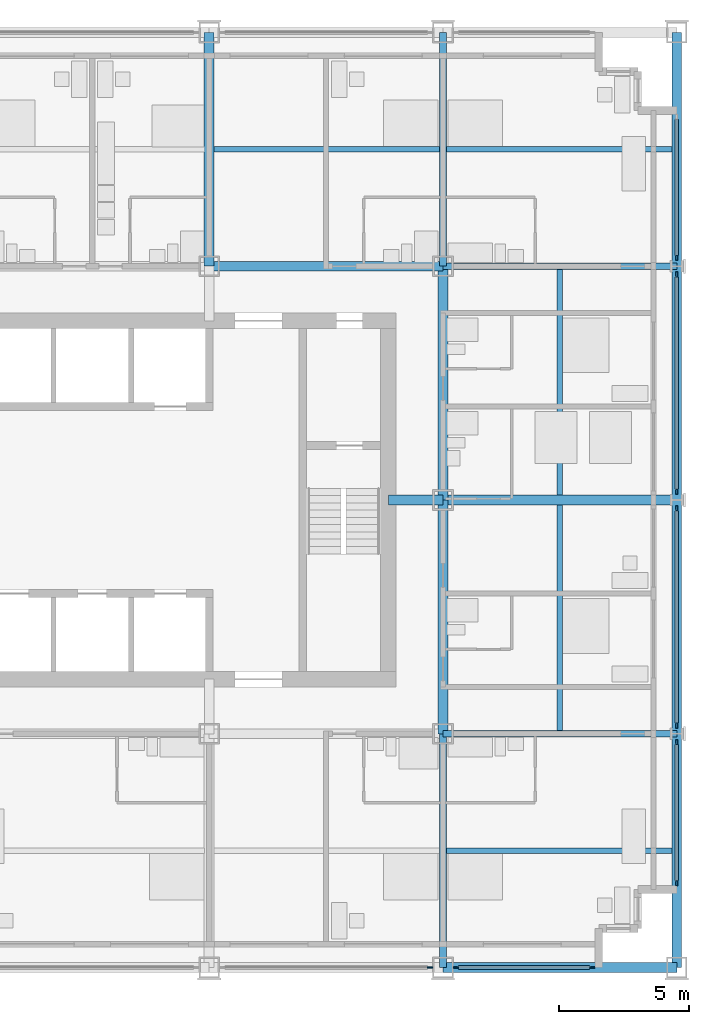
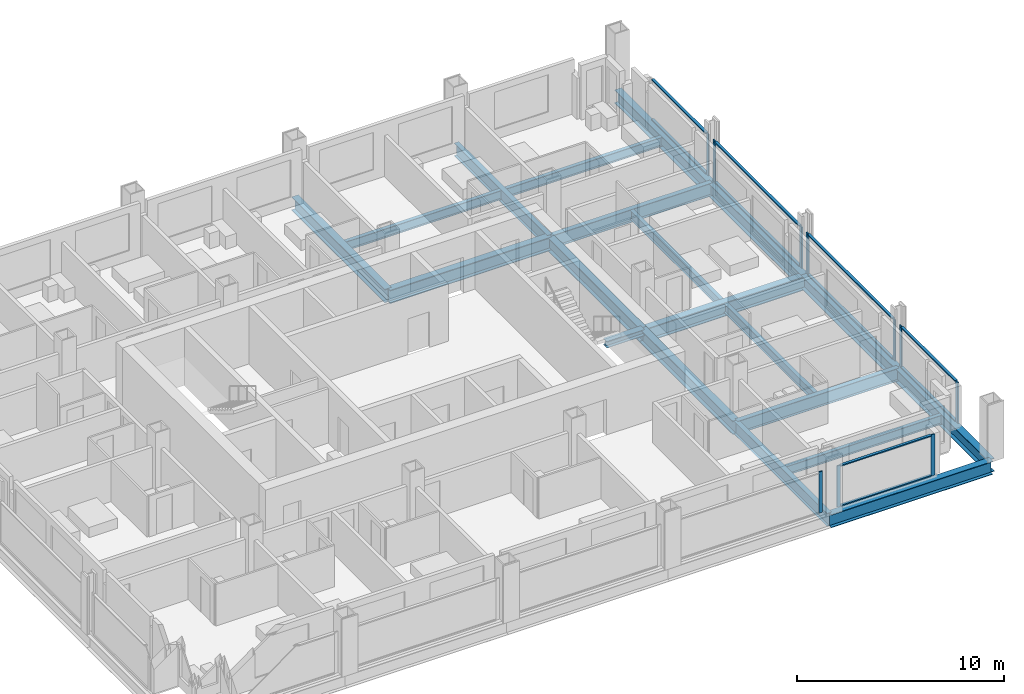
# One storey, part 5 of 17: 21 members, 19 beams, 6 elements without a shape of their own.
"""IFC4 building model written with IfcOpenShell, lengths in metres."""

from ifc_helpers import new_model, si_unit, direction, frame, origin, origin_2d, place, context, subcontext, project, spatial, rectangle, i_section, extrude, material, material_profile, profile_set, type_object, element, aggregate, save


model = new_model("IFC4")

# Units and contexts
model_context = context("Model", 3, precision=1e-05, world=origin(), true_north=direction((0.0, 1.0)))
body_context = subcontext(model_context, "Body", "Model", "MODEL_VIEW")
ifc_project = project(units=[si_unit("LENGTHUNIT", "METRE"), si_unit("AREAUNIT", "SQUARE_METRE"), si_unit("VOLUMEUNIT", "CUBIC_METRE"), si_unit("PLANEANGLEUNIT", "RADIAN"), si_unit("MASSUNIT", "GRAM", prefix="KILO")], contexts=[model_context])

# Site, building, storey
site_placement = place(None, origin())
site = spatial("IfcSite", under=ifc_project, at=site_placement, CompositionType="ELEMENT")
building_placement = place(site_placement, origin())
building = spatial("IfcBuilding", under=site, at=building_placement, Name="Loomwork Tower", CompositionType="ELEMENT")
storey_placement = place(building_placement, frame((0.0, 0.0, 138.39990234375)))
storey = spatial("IfcBuildingStorey", under=building, at=storey_placement, Name="L37", CompositionType="ELEMENT", Elevation=138.39990234375)

# Beams
ifc_material_1 = material(Name="Steel ASTM A992", Category="steel")
ifc_material_profile_1 = material_profile(ifc_material_1, i_section(OverallWidth=0.383544921875, OverallDepth=0.794921875, WebThickness=0.02099609375, FlangeThickness=0.0380859375, at=origin_2d()), Name="W30x235")
ifc_profile_set_1 = profile_set([ifc_material_profile_1], Name="Steel ASTM A992")
beam_type_1 = type_object("IfcBeamType", Name="CORE FLANK GIRDER W30x235", PredefinedType="BEAM", material=ifc_profile_set_1)
for number, where, z_axis, x_axis, name in (
    (1, (36.0, 18.0, -0.597412109375), (1.0, 0.0, 0.0), (0.0, 1.0, 0.0), "Core Flank Girder F/6-F/7 L37"),
    (2, (27.0, 27.0, -0.597412109375), (1.0, 0.0, 0.0), (0.0, 1.0, 0.0), "Core Flank Girder G/5-G/6 L37"),
    (3, (27.0, 27.0, -0.597412109375), (0.0, 1.0, 0.0), (-1.0, 0.0, 0.0), "Core Flank Girder G/5-H/5 L37"),
    (4, (36.0, 9.0, -0.597412109375), (0.0, 1.0, 0.0), (-1.0, 0.0, 0.0), "Core Flank Girder E/6-F/6 L37"),
    (5, (36.0, 18.0, -0.597412109375), (0.0, 1.0, 0.0), (-1.0, 0.0, 0.0), "Core Flank Girder F/6-G/6 L37"),
):
    element("IfcBeam", number, at=place(storey_placement, frame(where, z_axis=z_axis, x_axis=x_axis)), inside=storey, type_object=beam_type_1, Name=name, PredefinedType="BEAM", context=body_context, shape_type="SweptSolid", body=[
        extrude(i_section(OverallWidth=0.383544921875, OverallDepth=0.794921875, WebThickness=0.02099609375, FlangeThickness=0.0380859375, at=origin_2d()), origin(), (0.0, 0.0, 1.0), 9.0),
    ])

# Member
ifc_material_2 = material(Name="Steel ASTM A992", Category="steel")
ifc_material_profile_2 = material_profile(ifc_material_2, i_section(OverallWidth=0.373291015625, OverallDepth=0.373291015625, WebThickness=0.016357421875, FlangeThickness=0.026123046875, at=origin_2d()), Name="W14x132")
ifc_profile_set_2 = profile_set([ifc_material_profile_2], Name="Steel ASTM A992")
member_type_1 = type_object("IfcMemberType", Name="CORE LINK STRUT W14x132", PredefinedType="STRUT", material=ifc_profile_set_2)
member_1_placement = place(storey_placement, frame((36.0, 18.0, -0.386474609375), z_axis=(-1.0, 0.0, 0.0), x_axis=(0.0, -1.0, 0.0)))
element("IfcMember", 6, at=member_1_placement, inside=storey, type_object=member_type_1, Name="Core link strut F/6-33.900,18.000 L37", PredefinedType="STRUT", context=body_context, shape_type="SweptSolid", body=[
    extrude(i_section(OverallWidth=0.373291015625, OverallDepth=0.373291015625, WebThickness=0.016357421875, FlangeThickness=0.026123046875, at=origin_2d()), origin(), (0.0, 0.0, 1.0), 2.10009765625),
])

# Beams
ifc_material_3 = material(Name="Steel ASTM A992", Category="steel")
ifc_material_profile_3 = material_profile(ifc_material_3, i_section(OverallWidth=0.2666015625, OverallDepth=0.761962890625, WebThickness=0.014404296875, FlangeThickness=0.021484375, at=origin_2d()), Name="W30x116")
ifc_profile_set_3 = profile_set([ifc_material_profile_3], Name="Steel ASTM A992")
beam_type_2 = type_object("IfcBeamType", Name="FLOOR GIRDER W30x116", PredefinedType="BEAM", material=ifc_profile_set_3)
for number, where, z_axis, x_axis, name in (
    (7, (36.0, 9.0, -0.580810546875), (1.0, 0.0, 0.0), (0.0, 1.0, 0.0), "Floor Girder E/6-E/7 L37"),
    (8, (36.0, 27.0, -0.580810546875), (1.0, 0.0, 0.0), (0.0, 1.0, 0.0), "Floor Girder G/6-G/7 L37"),
    (9, (36.0, 0.0, -0.580810546875), (0.0, 1.0, 0.0), (-1.0, 0.0, 0.0), "Floor Girder D/6-E/6 L37"),
    (10, (36.0, 27.0, -0.580810546875), (0.0, 1.0, 0.0), (-1.0, 0.0, 0.0), "Floor Girder G/6-H/6 L37"),
):
    element("IfcBeam", number, at=place(storey_placement, frame(where, z_axis=z_axis, x_axis=x_axis)), inside=storey, type_object=beam_type_2, Name=name, PredefinedType="BEAM", context=body_context, shape_type="SweptSolid", body=[
        extrude(i_section(OverallWidth=0.2666015625, OverallDepth=0.761962890625, WebThickness=0.014404296875, FlangeThickness=0.021484375, at=origin_2d()), origin(), (0.0, 0.0, 1.0), 9.0),
    ])
ifc_material_4 = material(Name="Steel ASTM A992", Category="steel")
ifc_material_profile_4 = material_profile(ifc_material_4, i_section(OverallWidth=0.2109375, OverallDepth=0.53857421875, WebThickness=0.011474609375, FlangeThickness=0.018798828125, at=origin_2d()), Name="W21x73")
ifc_profile_set_4 = profile_set([ifc_material_profile_4], Name="Steel ASTM A992")
beam_type_3 = type_object("IfcBeamType", Name="FLOOR JOIST W21x73", PredefinedType="JOIST", material=ifc_profile_set_4)
beam_1_placement = place(storey_placement, frame((27.19091796875, 31.5, -0.46923828125), z_axis=(1.0, 0.0, 0.0), x_axis=(0.0, 1.0, 0.0)))
element("IfcBeam", 11, at=beam_1_placement, inside=storey, type_object=beam_type_3, Name="Floor Joist 27.000,31.500-36.000,31.500 L37", PredefinedType="JOIST", context=body_context, shape_type="SweptSolid", body=[
    extrude(i_section(OverallWidth=0.2109375, OverallDepth=0.53857421875, WebThickness=0.011474609375, FlangeThickness=0.018798828125, at=origin_2d()), origin(), (0.0, 0.0, 1.0), 8.676025390625),
])
beam_2_placement = place(storey_placement, frame((36.133056640625, 4.5, -0.46923828125), z_axis=(1.0, 0.0, 0.0), x_axis=(0.0, 1.0, 0.0)))
element("IfcBeam", 12, at=beam_2_placement, inside=storey, type_object=beam_type_3, Name="Floor Joist 36.000,4.500-45.000,4.500 L37", PredefinedType="JOIST", context=body_context, shape_type="SweptSolid", body=[
    extrude(i_section(OverallWidth=0.2109375, OverallDepth=0.53857421875, WebThickness=0.011474609375, FlangeThickness=0.018798828125, at=origin_2d()), origin(), (0.0, 0.0, 1.0), 8.677001953125),
])
for number, where, z_axis, x_axis, name in (
    (13, (40.5, 9.133056640625, -0.46923828125), (0.0, 1.0, 0.0), (-1.0, 0.0, 0.0), "Floor Joist 40.500,9.000-40.500,18.000 L37"),
    (14, (40.5, 18.19091796875, -0.46923828125), (0.0, 1.0, 0.0), (-1.0, 0.0, 0.0), "Floor Joist 40.500,18.000-40.500,27.000 L37"),
):
    element("IfcBeam", number, at=place(storey_placement, frame(where, z_axis=z_axis, x_axis=x_axis)), inside=storey, type_object=beam_type_3, Name=name, PredefinedType="JOIST", context=body_context, shape_type="SweptSolid", body=[
        extrude(i_section(OverallWidth=0.2109375, OverallDepth=0.53857421875, WebThickness=0.011474609375, FlangeThickness=0.018798828125, at=origin_2d()), origin(), (0.0, 0.0, 1.0), 8.676025390625),
    ])
beam_3_placement = place(storey_placement, frame((36.133056640625, 31.5, -0.46923828125), z_axis=(1.0, 0.0, 0.0), x_axis=(0.0, 1.0, 0.0)))
element("IfcBeam", 15, at=beam_3_placement, inside=storey, type_object=beam_type_3, Name="Floor Joist 36.000,31.500-45.000,31.500 L37", PredefinedType="JOIST", context=body_context, shape_type="SweptSolid", body=[
    extrude(i_section(OverallWidth=0.2109375, OverallDepth=0.53857421875, WebThickness=0.011474609375, FlangeThickness=0.018798828125, at=origin_2d()), origin(), (0.0, 0.0, 1.0), 8.677001953125),
])

# Curtain wall, member
ifc_material_5 = material(Name="Aluminium curtain wall frame", Category="aluminium")
curtain_wall_type = type_object("IfcCurtainWallType", Name="Outer skin glazing hotel", PredefinedType="NOTDEFINED", material=ifc_material_5)
curtain_wall_1_placement = place(storey_placement, origin())
curtain_wall_1 = element("IfcCurtainWall", 16, at=curtain_wall_1_placement, inside=storey, type_object=curtain_wall_type, Name="Outer skin glazing hotel cw/S-27", PredefinedType="NOTDEFINED")
ifc_material_6 = material(Name="Aluminium curtain wall frame", Category="aluminium")
ifc_material_profile_5 = material_profile(ifc_material_6, rectangle(XDim=0.06494140625, YDim=0.199951171875, at=origin_2d()), Name="AL 65x200")
ifc_profile_set_5 = profile_set([ifc_material_profile_5], Name="Aluminium curtain wall frame")
member_type_2 = type_object("IfcMemberType", Name="Outer skin glazing hotel mullion", PredefinedType="MULLION", material=ifc_profile_set_5)
member_2_placement = place(storey_placement, frame((35.5, 0.0, 0.0), z_axis=(0.0, 0.0, 1.0), x_axis=(0.0, 1.0, 0.0)))
member_2 = element("IfcMember", 17, at=member_2_placement, type_object=member_type_2, Name="CW1 mullion 2", PredefinedType="MULLION", context=body_context, shape_type="SweptSolid", body=[
    extrude(rectangle(XDim=0.06494140625, YDim=0.199951171875, at=origin_2d()), origin(), (0.0, 0.0, 1.0), 2.42041015625),
])
aggregate(curtain_wall_1, [member_2])

# Curtain wall, members
curtain_wall_2_placement = place(storey_placement, origin())
curtain_wall_2 = element("IfcCurtainWall", 18, at=curtain_wall_2_placement, inside=storey, type_object=curtain_wall_type, Name="Outer skin glazing hotel cw/S-36", PredefinedType="NOTDEFINED")
member_3_placement = place(storey_placement, frame((36.5, 0.0, 0.0), z_axis=(0.0, 0.0, 1.0), x_axis=(0.0, 1.0, 0.0)))
member_3 = element("IfcMember", 19, at=member_3_placement, type_object=member_type_2, Name="CW1 mullion 1", PredefinedType="MULLION", context=body_context, shape_type="SweptSolid", body=[
    extrude(rectangle(XDim=0.06494140625, YDim=0.199951171875, at=origin_2d()), origin(), (0.0, 0.0, 1.0), 2.42041015625),
])
member_4_placement = place(storey_placement, frame((41.75, 0.0, 0.0), z_axis=(0.0, 0.0, 1.0), x_axis=(0.0, 1.0, 0.0)))
member_4 = element("IfcMember", 20, at=member_4_placement, type_object=member_type_2, Name="CW1 mullion 2", PredefinedType="MULLION", context=body_context, shape_type="SweptSolid", body=[
    extrude(rectangle(XDim=0.06494140625, YDim=0.199951171875, at=origin_2d()), origin(), (0.0, 0.0, 1.0), 2.42041015625),
])

curtain_wall_3_placement = place(storey_placement, origin())
curtain_wall_3 = element("IfcCurtainWall", 21, at=curtain_wall_3_placement, inside=storey, type_object=curtain_wall_type, Name="Outer skin glazing hotel cw/E-0", PredefinedType="NOTDEFINED")
member_5_placement = place(storey_placement, frame((45.0, 3.25, 0.0), z_axis=(0.0, 0.0, 1.0), x_axis=(-1.0, 0.0, 0.0)))
member_5 = element("IfcMember", 22, at=member_5_placement, type_object=member_type_2, Name="CW1 mullion 1", PredefinedType="MULLION", context=body_context, shape_type="SweptSolid", body=[
    extrude(rectangle(XDim=0.06494140625, YDim=0.199951171875, at=origin_2d()), origin(), (0.0, 0.0, 1.0), 2.42041015625),
])
member_6_placement = place(storey_placement, frame((45.0, 8.678955078125, 0.0), z_axis=(0.0, 0.0, 1.0), x_axis=(-1.0, 0.0, 0.0)))
member_6 = element("IfcMember", 23, at=member_6_placement, type_object=member_type_2, Name="CW1 mullion 2", PredefinedType="MULLION", context=body_context, shape_type="SweptSolid", body=[
    extrude(rectangle(XDim=0.06494140625, YDim=0.199951171875, at=origin_2d()), origin(), (0.0, 0.0, 1.0), 2.42041015625),
])

curtain_wall_4_placement = place(storey_placement, origin())
curtain_wall_4 = element("IfcCurtainWall", 24, at=curtain_wall_4_placement, inside=storey, type_object=curtain_wall_type, Name="Outer skin glazing hotel cw/E-9", PredefinedType="NOTDEFINED")
member_7_placement = place(storey_placement, frame((45.0, 9.321044921875, 0.0), z_axis=(0.0, 0.0, 1.0), x_axis=(-1.0, 0.0, 0.0)))
member_7 = element("IfcMember", 25, at=member_7_placement, type_object=member_type_2, Name="CW1 mullion 1", PredefinedType="MULLION", context=body_context, shape_type="SweptSolid", body=[
    extrude(rectangle(XDim=0.06494140625, YDim=0.199951171875, at=origin_2d()), origin(), (0.0, 0.0, 1.0), 2.42041015625),
])
member_8_placement = place(storey_placement, frame((45.0, 17.678955078125, 0.0), z_axis=(0.0, 0.0, 1.0), x_axis=(-1.0, 0.0, 0.0)))
member_8 = element("IfcMember", 26, at=member_8_placement, type_object=member_type_2, Name="CW1 mullion 2", PredefinedType="MULLION", context=body_context, shape_type="SweptSolid", body=[
    extrude(rectangle(XDim=0.06494140625, YDim=0.199951171875, at=origin_2d()), origin(), (0.0, 0.0, 1.0), 2.42041015625),
])

curtain_wall_5_placement = place(storey_placement, origin())
curtain_wall_5 = element("IfcCurtainWall", 27, at=curtain_wall_5_placement, inside=storey, type_object=curtain_wall_type, Name="Outer skin glazing hotel cw/E-18", PredefinedType="NOTDEFINED")
member_9_placement = place(storey_placement, frame((45.0, 18.321044921875, 0.0), z_axis=(0.0, 0.0, 1.0), x_axis=(-1.0, 0.0, 0.0)))
member_9 = element("IfcMember", 28, at=member_9_placement, type_object=member_type_2, Name="CW1 mullion 1", PredefinedType="MULLION", context=body_context, shape_type="SweptSolid", body=[
    extrude(rectangle(XDim=0.06494140625, YDim=0.199951171875, at=origin_2d()), origin(), (0.0, 0.0, 1.0), 2.42041015625),
])
member_10_placement = place(storey_placement, frame((45.0, 26.678955078125, 0.0), z_axis=(0.0, 0.0, 1.0), x_axis=(-1.0, 0.0, 0.0)))
member_10 = element("IfcMember", 29, at=member_10_placement, type_object=member_type_2, Name="CW1 mullion 2", PredefinedType="MULLION", context=body_context, shape_type="SweptSolid", body=[
    extrude(rectangle(XDim=0.06494140625, YDim=0.199951171875, at=origin_2d()), origin(), (0.0, 0.0, 1.0), 2.42041015625),
])

# Curtain wall, member
curtain_wall_6_placement = place(storey_placement, origin())
curtain_wall_6 = element("IfcCurtainWall", 30, at=curtain_wall_6_placement, inside=storey, type_object=curtain_wall_type, Name="Outer skin glazing hotel cw/E-27", PredefinedType="NOTDEFINED")
member_11_placement = place(storey_placement, frame((45.0, 27.321044921875, 0.0), z_axis=(0.0, 0.0, 1.0), x_axis=(-1.0, 0.0, 0.0)))
member_11 = element("IfcMember", 31, at=member_11_placement, type_object=member_type_2, Name="CW1 mullion 1", PredefinedType="MULLION", context=body_context, shape_type="SweptSolid", body=[
    extrude(rectangle(XDim=0.06494140625, YDim=0.199951171875, at=origin_2d()), origin(), (0.0, 0.0, 1.0), 2.42041015625),
])

# Member
ifc_material_7 = material(Name="Aluminium curtain wall frame", Category="aluminium")
ifc_material_profile_6 = material_profile(ifc_material_7, rectangle(XDim=0.14990234375, YDim=0.06494140625, at=origin_2d()), Name="AL 65x150")
ifc_profile_set_6 = profile_set([ifc_material_profile_6], Name="Aluminium curtain wall frame")
member_type_3 = type_object("IfcMemberType", Name="Outer skin glazing hotel transom", PredefinedType="USERDEFINED", material=ifc_profile_set_6)
member_12_placement = place(storey_placement, frame((36.60009765625, 0.0, 0.03271484375), z_axis=(1.0, 0.0, 0.0), x_axis=(0.0, 1.0, 0.0)))
member_12 = element("IfcMember", 32, at=member_12_placement, type_object=member_type_3, Name="CW1 transom 1.1", ObjectType="TRANSOM", PredefinedType="USERDEFINED", context=body_context, shape_type="SweptSolid", body=[
    extrude(rectangle(XDim=0.14990234375, YDim=0.06494140625, at=origin_2d()), origin(), (0.0, 0.0, 1.0), 5.0498046875),
])

member_13_placement = place(storey_placement, frame((36.60009765625, 0.0, 2.3876953125), z_axis=(1.0, 0.0, 0.0), x_axis=(0.0, 1.0, 0.0)))
member_13 = element("IfcMember", 33, at=member_13_placement, type_object=member_type_3, Name="CW1 transom 1.2", ObjectType="TRANSOM", PredefinedType="USERDEFINED", context=body_context, shape_type="SweptSolid", body=[
    extrude(rectangle(XDim=0.14990234375, YDim=0.06494140625, at=origin_2d()), origin(), (0.0, 0.0, 1.0), 5.0498046875),
])

aggregate(curtain_wall_2, [member_3, member_4, member_12, member_13])

member_14_placement = place(storey_placement, frame((45.0, 3.35009765625, 0.03271484375), z_axis=(0.0, 1.0, 0.0), x_axis=(-1.0, 0.0, 0.0)))
member_14 = element("IfcMember", 34, at=member_14_placement, type_object=member_type_3, Name="CW1 transom 1.1", ObjectType="TRANSOM", PredefinedType="USERDEFINED", context=body_context, shape_type="SweptSolid", body=[
    extrude(rectangle(XDim=0.14990234375, YDim=0.06494140625, at=origin_2d()), origin(), (0.0, 0.0, 1.0), 5.22900390625),
])

member_15_placement = place(storey_placement, frame((45.0, 3.35009765625, 2.3876953125), z_axis=(0.0, 1.0, 0.0), x_axis=(-1.0, 0.0, 0.0)))
member_15 = element("IfcMember", 35, at=member_15_placement, type_object=member_type_3, Name="CW1 transom 1.2", ObjectType="TRANSOM", PredefinedType="USERDEFINED", context=body_context, shape_type="SweptSolid", body=[
    extrude(rectangle(XDim=0.14990234375, YDim=0.06494140625, at=origin_2d()), origin(), (0.0, 0.0, 1.0), 5.22900390625),
])

aggregate(curtain_wall_3, [member_5, member_6, member_14, member_15])

member_16_placement = place(storey_placement, frame((45.0, 9.4208984375, 0.03271484375), z_axis=(0.0, 1.0, 0.0), x_axis=(-1.0, 0.0, 0.0)))
member_16 = element("IfcMember", 36, at=member_16_placement, type_object=member_type_3, Name="CW1 transom 1.1", ObjectType="TRANSOM", PredefinedType="USERDEFINED", context=body_context, shape_type="SweptSolid", body=[
    extrude(rectangle(XDim=0.14990234375, YDim=0.06494140625, at=origin_2d()), origin(), (0.0, 0.0, 1.0), 8.158203125),
])

member_17_placement = place(storey_placement, frame((45.0, 9.4208984375, 2.3876953125), z_axis=(0.0, 1.0, 0.0), x_axis=(-1.0, 0.0, 0.0)))
member_17 = element("IfcMember", 37, at=member_17_placement, type_object=member_type_3, Name="CW1 transom 1.2", ObjectType="TRANSOM", PredefinedType="USERDEFINED", context=body_context, shape_type="SweptSolid", body=[
    extrude(rectangle(XDim=0.14990234375, YDim=0.06494140625, at=origin_2d()), origin(), (0.0, 0.0, 1.0), 8.158203125),
])

aggregate(curtain_wall_4, [member_7, member_8, member_16, member_17])

member_18_placement = place(storey_placement, frame((45.0, 18.4208984375, 0.03271484375), z_axis=(0.0, 1.0, 0.0), x_axis=(-1.0, 0.0, 0.0)))
member_18 = element("IfcMember", 38, at=member_18_placement, type_object=member_type_3, Name="CW1 transom 1.1", ObjectType="TRANSOM", PredefinedType="USERDEFINED", context=body_context, shape_type="SweptSolid", body=[
    extrude(rectangle(XDim=0.14990234375, YDim=0.06494140625, at=origin_2d()), origin(), (0.0, 0.0, 1.0), 8.158203125),
])

member_19_placement = place(storey_placement, frame((45.0, 18.4208984375, 2.3876953125), z_axis=(0.0, 1.0, 0.0), x_axis=(-1.0, 0.0, 0.0)))
member_19 = element("IfcMember", 39, at=member_19_placement, type_object=member_type_3, Name="CW1 transom 1.2", ObjectType="TRANSOM", PredefinedType="USERDEFINED", context=body_context, shape_type="SweptSolid", body=[
    extrude(rectangle(XDim=0.14990234375, YDim=0.06494140625, at=origin_2d()), origin(), (0.0, 0.0, 1.0), 8.158203125),
])

aggregate(curtain_wall_5, [member_9, member_10, member_18, member_19])

member_20_placement = place(storey_placement, frame((45.0, 27.4208984375, 0.03271484375), z_axis=(0.0, 1.0, 0.0), x_axis=(-1.0, 0.0, 0.0)))
member_20 = element("IfcMember", 40, at=member_20_placement, type_object=member_type_3, Name="CW1 transom 1.1", ObjectType="TRANSOM", PredefinedType="USERDEFINED", context=body_context, shape_type="SweptSolid", body=[
    extrude(rectangle(XDim=0.14990234375, YDim=0.06494140625, at=origin_2d()), origin(), (0.0, 0.0, 1.0), 5.22900390625),
])

member_21_placement = place(storey_placement, frame((45.0, 27.4208984375, 2.3876953125), z_axis=(0.0, 1.0, 0.0), x_axis=(-1.0, 0.0, 0.0)))
member_21 = element("IfcMember", 41, at=member_21_placement, type_object=member_type_3, Name="CW1 transom 1.2", ObjectType="TRANSOM", PredefinedType="USERDEFINED", context=body_context, shape_type="SweptSolid", body=[
    extrude(rectangle(XDim=0.14990234375, YDim=0.06494140625, at=origin_2d()), origin(), (0.0, 0.0, 1.0), 5.22900390625),
])

aggregate(curtain_wall_6, [member_11, member_20, member_21])

# Beams
ifc_material_8 = material(Name="Steel ASTM A992", Category="steel")
ifc_material_profile_7 = material_profile(ifc_material_8, i_section(OverallWidth=0.381103515625, OverallDepth=0.77978515625, WebThickness=0.01806640625, FlangeThickness=0.0302734375, at=origin_2d()), Name="W30x191")
ifc_profile_set_7 = profile_set([ifc_material_profile_7], Name="Steel ASTM A992")
beam_type_4 = type_object("IfcBeamType", Name="SPANDREL GIRDER W30x191", PredefinedType="SPANDREL", material=ifc_profile_set_7)
for number, where, z_axis, x_axis, name in (
    (42, (36.0, 0.0, -0.58984375), (1.0, 0.0, 0.0), (0.0, 1.0, 0.0), "Spandrel Girder D/6-D/7 L37"),
    (43, (45.0, 0.0, -0.58984375), (0.0, 1.0, 0.0), (-1.0, 0.0, 0.0), "Spandrel Girder D/7-E/7 L37"),
    (44, (45.0, 9.0, -0.58984375), (0.0, 1.0, 0.0), (-1.0, 0.0, 0.0), "Spandrel Girder E/7-F/7 L37"),
    (45, (45.0, 18.0, -0.58984375), (0.0, 1.0, 0.0), (-1.0, 0.0, 0.0), "Spandrel Girder F/7-G/7 L37"),
    (46, (45.0, 27.0, -0.58984375), (0.0, 1.0, 0.0), (-1.0, 0.0, 0.0), "Spandrel Girder G/7-H/7 L37"),
):
    element("IfcBeam", number, at=place(storey_placement, frame(where, z_axis=z_axis, x_axis=x_axis)), inside=storey, type_object=beam_type_4, Name=name, PredefinedType="SPANDREL", context=body_context, shape_type="SweptSolid", body=[
        extrude(i_section(OverallWidth=0.381103515625, OverallDepth=0.77978515625, WebThickness=0.01806640625, FlangeThickness=0.0302734375, at=origin_2d()), origin(), (0.0, 0.0, 1.0), 9.0),
    ])

save(model, "model.ifc")
